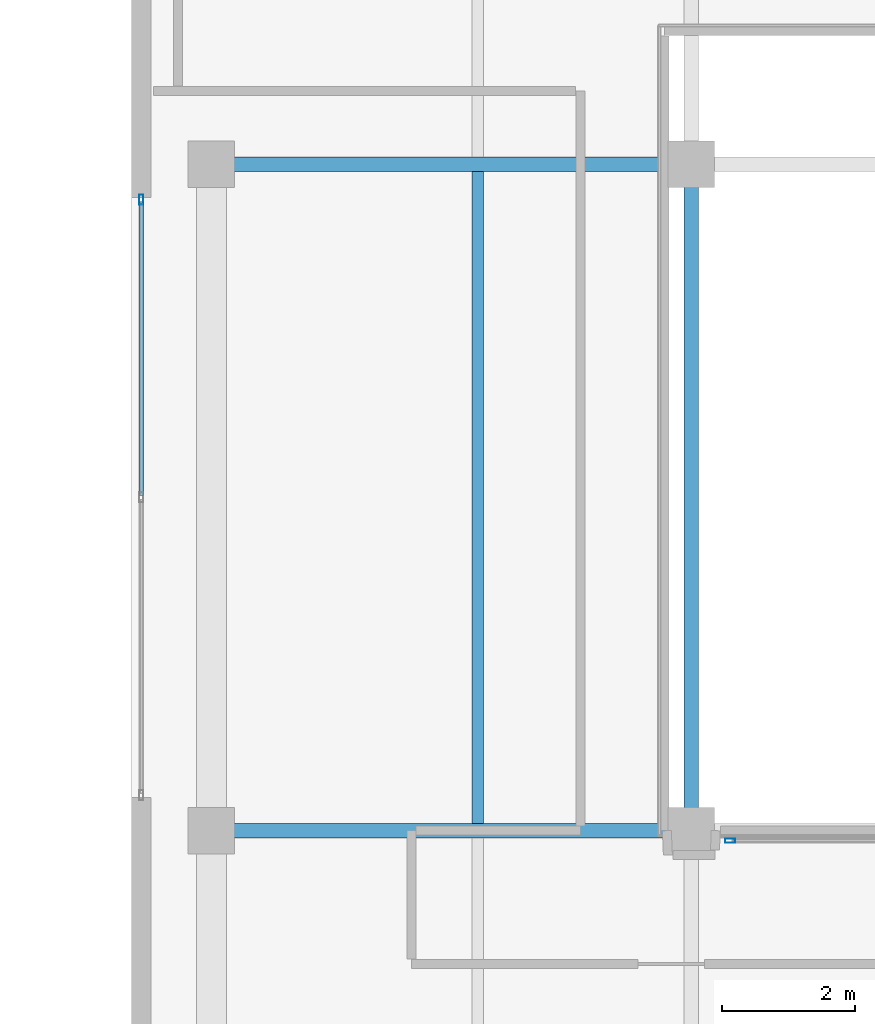
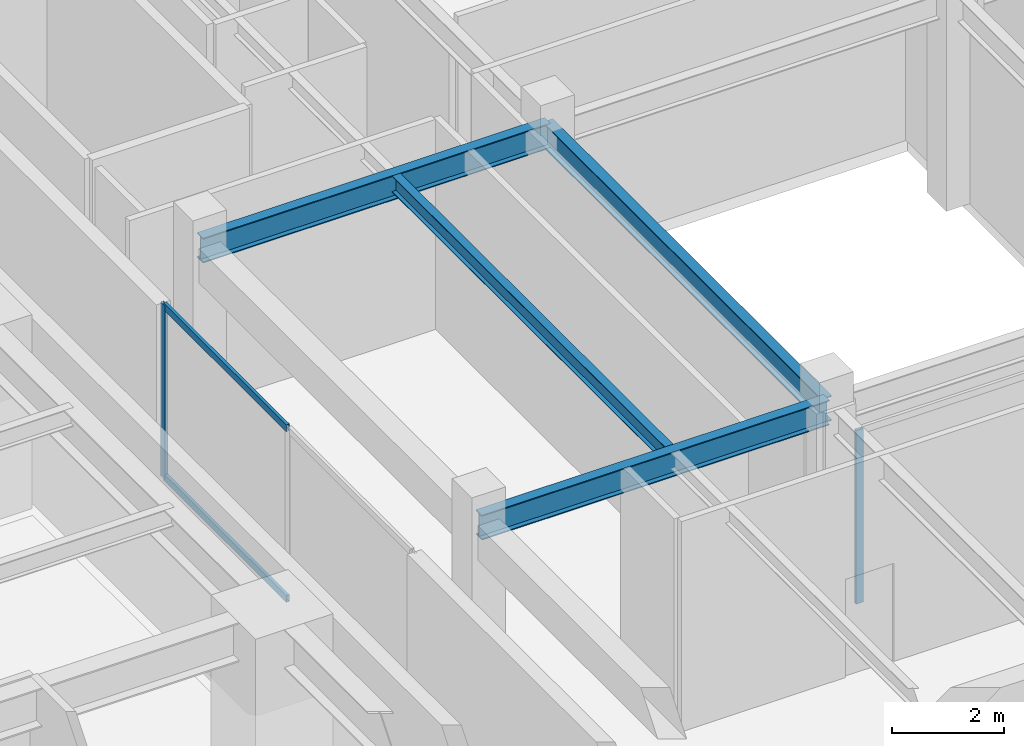
# One storey, part 9 of 25: 4 beams, 4 members, 2 elements without a shape of their own.
"""IFC4 building model written with IfcOpenShell, lengths in metres."""

from ifc_helpers import new_model, si_unit, direction, frame, origin, origin_2d, place, context, subcontext, project, spatial, hollow_rectangle, i_section, extrude, source, transform, mapped, material, layer, layer_set, material_profile, profile_set, type_object, type_shapes, element, aggregate, save


model = new_model("IFC4")

# Units and contexts
model_context = context("Model", 3, precision=1e-05, world=origin(), true_north=direction((0.0, 1.0)))
body_context = subcontext(model_context, "Body", "Model", "MODEL_VIEW")
ifc_project = project(units=[si_unit("LENGTHUNIT", "METRE"), si_unit("AREAUNIT", "SQUARE_METRE"), si_unit("VOLUMEUNIT", "CUBIC_METRE"), si_unit("PLANEANGLEUNIT", "RADIAN"), si_unit("MASSUNIT", "GRAM", prefix="KILO")], contexts=[model_context])

# Site, building, storey
site_placement = place(None, origin())
site = spatial("IfcSite", under=ifc_project, at=site_placement, CompositionType="ELEMENT")
building_placement = place(site_placement, origin())
building = spatial("IfcBuilding", under=site, at=building_placement, Name="Talar Marvaseh", CompositionType="ELEMENT")
storey_placement = place(building_placement, frame((0.0, 0.0, 14.39990234375)))
storey = spatial("IfcBuildingStorey", under=building, at=storey_placement, Name="L03", CompositionType="ELEMENT", Elevation=14.39990234375)

# Beams
ifc_material_1 = material(Name="Steel S355", Category="steel")
ifc_material_profile_1 = material_profile(ifc_material_1, i_section(OverallWidth=0.2119140625, OverallDepth=0.5439453125, WebThickness=0.01318359375, FlangeThickness=0.021240234375, at=origin_2d()), Name="W530x123")
ifc_profile_set_1 = profile_set([ifc_material_profile_1], Name="Steel S355")
beam_type_1 = type_object("IfcBeamType", Name="Market Hall Primary Girder W530x123", PredefinedType="BEAM", material=ifc_profile_set_1)
for number, where, z_axis, x_axis, name in (
    (1, (55.199951171875, 26.0, 4.328125), (1.0, 0.0, 0.0), (0.0, 1.0, 0.0), "L03 Market Hall Primary Girder W530x123"),
    (2, (55.199951171875, 36.0, 4.328125), (1.0, 0.0, 0.0), (0.0, 1.0, 0.0), "L03 Market Hall Primary Girder W530x123"),
):
    element("IfcBeam", number, at=place(storey_placement, frame(where, z_axis=z_axis, x_axis=x_axis)), inside=storey, type_object=beam_type_1, Name=name, PredefinedType="BEAM", context=body_context, shape_type="SweptSolid", body=[
        extrude(i_section(OverallWidth=0.2119140625, OverallDepth=0.5439453125, WebThickness=0.01318359375, FlangeThickness=0.021240234375, at=origin_2d()), origin(), (0.0, 0.0, 1.0), 7.199951171875),
    ])
beam_1_placement = place(storey_placement, frame((62.39990234375, 26.0, 4.328125), z_axis=(0.0, 1.0, 0.0), x_axis=(-1.0, 0.0, 0.0)))
element("IfcBeam", 3, at=beam_1_placement, inside=storey, type_object=beam_type_1, Name="L03 Market Hall Primary Girder W530x123", PredefinedType="BEAM", context=body_context, shape_type="SweptSolid", body=[
    extrude(i_section(OverallWidth=0.2119140625, OverallDepth=0.5439453125, WebThickness=0.01318359375, FlangeThickness=0.021240234375, at=origin_2d()), origin(), (0.0, 0.0, 1.0), 10.0),
])
ifc_material_profile_2 = material_profile(ifc_material_1, i_section(OverallWidth=0.172119140625, OverallDepth=0.35791015625, WebThickness=0.0078125, FlangeThickness=0.01318359375, at=origin_2d()), Name="W360x57")
ifc_profile_set_2 = profile_set([ifc_material_profile_2], Name="Steel S355")
beam_type_2 = type_object("IfcBeamType", Name="Zone 2 Secondary Floor Joist W360x57", PredefinedType="JOIST", material=ifc_profile_set_2)
beam_2_placement = place(storey_placement, frame((59.199951171875, 26.10498046875, 4.421142578125), z_axis=(0.0, 1.0, 0.0), x_axis=(-1.0, 0.0, 0.0)))
element("IfcBeam", 4, at=beam_2_placement, inside=storey, type_object=beam_type_2, Name="L03 Zone 2 Secondary Floor Joist W360x57", PredefinedType="JOIST", context=body_context, shape_type="SweptSolid", body=[
    extrude(i_section(OverallWidth=0.172119140625, OverallDepth=0.35791015625, WebThickness=0.0078125, FlangeThickness=0.01318359375, at=origin_2d()), origin(), (0.0, 0.0, 1.0), 9.7900390625),
])

# Curtain wall, members
ifc_material_2 = material(Name="Architectural Aluminium", Category="aluminium")
ifc_layer = layer(ifc_material_2, 0.169921875)
ifc_layer_set = layer_set([ifc_layer], Name="Architectural Aluminium")
curtain_wall_type = type_object("IfcCurtainWallType", Name="Market Hall Clerestory and Courtyard Curtain Wall", PredefinedType="NOTDEFINED", material=ifc_layer_set)
curtain_wall_1_placement = place(storey_placement, origin())
curtain_wall_1 = element("IfcCurtainWall", 5, at=curtain_wall_1_placement, inside=storey, type_object=curtain_wall_type, Name="L03 Market Hall Clerestory and Courtyard Curtain Wall", PredefinedType="NOTDEFINED")
ifc_material_profile_3 = material_profile(ifc_material_2, hollow_rectangle(XDim=0.06494140625, YDim=0.14990234375, WallThickness=0.00390625, at=origin_2d()), Name="RHS150x65x4")
ifc_profile_set_3 = profile_set([ifc_material_profile_3], Name="Architectural Aluminium")
member_type_1 = type_object("IfcMemberType", Name="Unitised Curtain Wall Slim Transom RHS150x65x4", PredefinedType="USERDEFINED", material=ifc_profile_set_3)
shared_shape_1 = source(origin(), body_context, "Body", "SweptSolid", [
    extrude(hollow_rectangle(XDim=0.06494140625, YDim=0.14990234375, WallThickness=0.00390625, at=origin_2d()), origin(), (0.0, 0.0, 1.0), 4.402587890625),
])
type_shapes(member_type_1, [shared_shape_1])
member_1_placement = place(storey_placement, frame((54.14990234375, 31.032470703125, 0.03271484375), z_axis=(0.0, 1.0, 0.0), x_axis=(-1.0, 0.0, 0.0)))
member_1 = element("IfcMember", 6, at=member_1_placement, type_object=member_type_1, Name="CW-MKT transom 2.1", ObjectType="TRANSOM", PredefinedType="USERDEFINED", context=body_context, shape_type="MappedRepresentation", body=[
    mapped(shared_shape_1, transform((0.0, 0.0, 0.0), x_axis=(1.0, 0.0, 0.0), y_axis=(0.0, 1.0, 0.0), z_axis=(0.0, 0.0, 1.0), scale=1.0)),
])
member_2_placement = place(storey_placement, frame((54.14990234375, 31.032470703125, 3.767578125), z_axis=(0.0, 1.0, 0.0), x_axis=(-1.0, 0.0, 0.0)))
member_2 = element("IfcMember", 7, at=member_2_placement, type_object=member_type_1, Name="CW-MKT transom 2.2", ObjectType="TRANSOM", PredefinedType="USERDEFINED", context=body_context, shape_type="MappedRepresentation", body=[
    mapped(shared_shape_1, transform((0.0, 0.0, 0.0), x_axis=(1.0, 0.0, 0.0), y_axis=(0.0, 1.0, 0.0), z_axis=(0.0, 0.0, 1.0), scale=1.0)),
])
ifc_material_profile_4 = material_profile(ifc_material_2, hollow_rectangle(XDim=0.06494140625, YDim=0.14990234375, WallThickness=0.00390625, at=origin_2d()), Name="RHS150x65x4")
ifc_profile_set_4 = profile_set([ifc_material_profile_4], Name="Architectural Aluminium")
member_type_2 = type_object("IfcMemberType", Name="Unitised Curtain Wall Slim Mullion RHS150x65x4", PredefinedType="MULLION", material=ifc_profile_set_4)
shared_shape_2 = source(origin(), body_context, "Body", "SweptSolid", [
    extrude(hollow_rectangle(XDim=0.06494140625, YDim=0.14990234375, WallThickness=0.00390625, at=origin_2d()), origin(), (0.0, 0.0, 1.0), 3.800048828125),
])
type_shapes(member_type_2, [shared_shape_2])
member_3_placement = place(storey_placement, frame((54.14990234375, 35.467529296875, 0.0), z_axis=(0.0, 0.0, 1.0), x_axis=(-1.0, 0.0, 0.0)))
member_3 = element("IfcMember", 8, at=member_3_placement, type_object=member_type_2, Name="CW-MKT mullion 3", PredefinedType="MULLION", context=body_context, shape_type="MappedRepresentation", body=[
    mapped(shared_shape_2, transform((0.0, 0.0, 0.0), x_axis=(1.0, 0.0, 0.0), y_axis=(0.0, 1.0, 0.0), z_axis=(0.0, 0.0, 1.0), scale=1.0)),
])
aggregate(curtain_wall_1, [member_3, member_1, member_2])

# Curtain wall, member
curtain_wall_2_placement = place(storey_placement, origin())
curtain_wall_2 = element("IfcCurtainWall", 9, at=curtain_wall_2_placement, inside=storey, type_object=curtain_wall_type, Name="L03 Market Hall Clerestory and Courtyard Curtain Wall", PredefinedType="NOTDEFINED")
member_4_placement = place(storey_placement, frame((62.982421875, 25.85009765625, 0.0), z_axis=(0.0, 0.0, 1.0), x_axis=(0.0, 1.0, 0.0)))
member_4 = element("IfcMember", 10, at=member_4_placement, type_object=member_type_2, Name="CW-MKT mullion 1", PredefinedType="MULLION", context=body_context, shape_type="MappedRepresentation", body=[
    mapped(shared_shape_2, transform((0.0, 0.0, 0.0), x_axis=(1.0, 0.0, 0.0), y_axis=(0.0, 1.0, 0.0), z_axis=(0.0, 0.0, 1.0), scale=1.0)),
])
aggregate(curtain_wall_2, [member_4])

save(model, "model.ifc")
